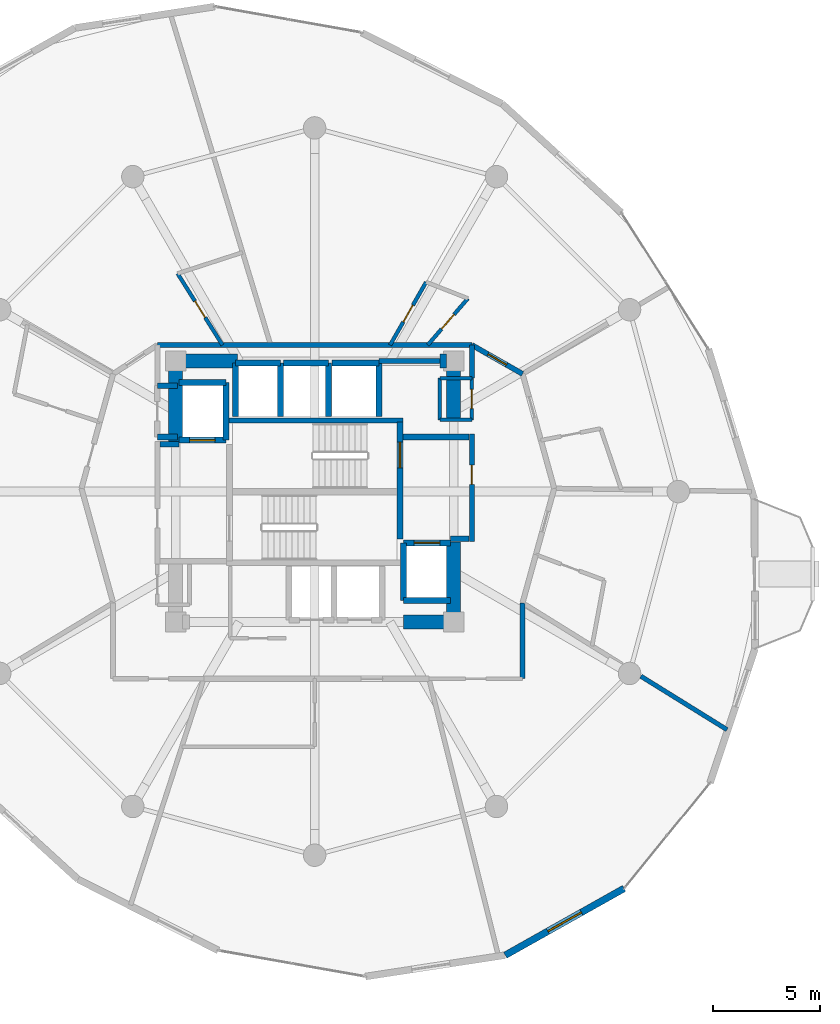
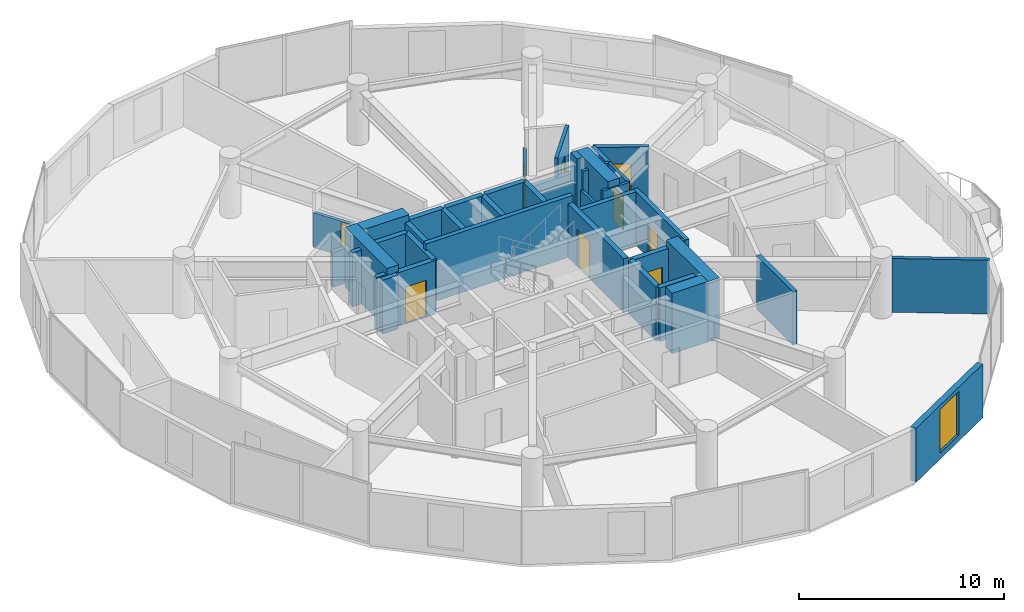
# One storey, part 18 of 22: 41 walls, 9 doors, 1 window, 10 openings.
"""IFC4 building model written with IfcOpenShell, lengths in metres."""

from ifc_helpers import new_model, si_unit, direction, frame, frame_2d, origin, place, context, subcontext, project, spatial, rectangle, extrude, material, layer, layer_set, type_object, element, fill, save


model = new_model("IFC4")

# Units and contexts
model_context = context("Model", 3, precision=1e-05, world=origin(), true_north=direction((0.0, 1.0)))
body_context = subcontext(model_context, "Body", "Model", "MODEL_VIEW")
ifc_project = project(units=[si_unit("LENGTHUNIT", "METRE"), si_unit("AREAUNIT", "SQUARE_METRE"), si_unit("VOLUMEUNIT", "CUBIC_METRE"), si_unit("PLANEANGLEUNIT", "RADIAN"), si_unit("MASSUNIT", "GRAM", prefix="KILO")], contexts=[model_context])

# Site, building, storey
site_placement = place(None, origin())
site = spatial("IfcSite", under=ifc_project, at=site_placement, CompositionType="ELEMENT")
building_placement = place(site_placement, origin())
building = spatial("IfcBuilding", under=site, at=building_placement, Name="Solvirekh Grand Hotel", CompositionType="ELEMENT")
storey_placement = place(building_placement, frame((0.0, 0.0, 160.199951171875)))
storey = spatial("IfcBuildingStorey", under=building, at=storey_placement, Name="L41", CompositionType="ELEMENT", Elevation=160.199951171875)

# Walls
ifc_material_1 = material(Name="Concrete C50/60", Category="concrete")
ifc_layer_1 = layer(ifc_material_1, 0.35009765625)
ifc_layer_set_1 = layer_set([ifc_layer_1], Name="Concrete C50/60")
wall_type_1 = type_object("IfcWallType", Name="CoreDivWall_RC350", PredefinedType="SOLIDWALL", material=ifc_layer_set_1)
wall_1_placement = place(storey_placement, frame((-4.1298828125, 3.324951171875, 0.0), z_axis=(0.0, 0.0, 1.0), x_axis=(1.0, 0.0, 0.0)))
element("IfcWall", 1, at=wall_1_placement, inside=storey, type_object=wall_type_1, Name="L41 core stair box wall ST-N", PredefinedType="SOLIDWALL", context=body_context, shape_type="SweptSolid", body=[
    extrude(rectangle(XDim=8.259765625, YDim=0.25, at=frame_2d((4.1298828125, 0.0))), origin(), (0.0, 0.0, 1.0), 3.60009765625),
])
ifc_material_2 = material(Name="Concrete C40/50", Category="concrete")
ifc_layer_2 = layer(ifc_material_2, 0.280029296875)
ifc_layer_set_2 = layer_set([ifc_layer_2], Name="Concrete C40/50")
wall_type_2 = type_object("IfcWallType", Name="CoreShaftWall_RC280", PredefinedType="SOLIDWALL", material=ifc_layer_set_2)
wall_2_placement = place(storey_placement, frame((-1.60009765625, 6.0, 0.0), z_axis=(0.0, 0.0, 1.0), x_axis=(-1.0, 0.0, 0.0)))
element("IfcWall", 2, at=wall_2_placement, inside=storey, type_object=wall_type_2, Name="L41 HP-1 hoistway N wall", PredefinedType="SOLIDWALL", context=body_context, shape_type="SweptSolid", body=[
    extrude(rectangle(XDim=2.099853515625, YDim=0.280029296875, at=frame_2d((1.0498046875, 0.0))), origin(), (0.0, 0.0, 1.0), 3.199951171875),
])
for number, where, z_axis, x_axis, name in (
    (3, (-3.699951171875, 6.0, 0.0), (0.0, 0.0, 1.0), (0.0, -1.0, 0.0), "L41 HP-1 hoistway W wall"),
    (4, (-1.60009765625, 3.5, 0.0), (0.0, 0.0, 1.0), (0.0, 1.0, 0.0), "L41 HP-1 hoistway E wall"),
):
    element("IfcWall", number, at=place(storey_placement, frame(where, z_axis=z_axis, x_axis=x_axis)), inside=storey, type_object=wall_type_2, Name=name, PredefinedType="SOLIDWALL", context=body_context, shape_type="SweptSolid", body=[
        extrude(rectangle(XDim=2.5, YDim=0.280029296875, at=frame_2d((1.25, 0.0))), origin(), (0.0, 0.0, 1.0), 3.199951171875),
    ])
wall_3_placement = place(storey_placement, frame((0.64990234375, 6.0, 0.0), z_axis=(0.0, 0.0, 1.0), x_axis=(-1.0, 0.0, 0.0)))
element("IfcWall", 5, at=wall_3_placement, inside=storey, type_object=wall_type_2, Name="L41 HP-2 hoistway N wall", PredefinedType="SOLIDWALL", context=body_context, shape_type="SweptSolid", body=[
    extrude(rectangle(XDim=2.099853515625, YDim=0.280029296875, at=frame_2d((1.0498046875, 0.0))), origin(), (0.0, 0.0, 1.0), 3.199951171875),
])
wall_4_placement = place(storey_placement, frame((0.64990234375, 3.5, 0.0), z_axis=(0.0, 0.0, 1.0), x_axis=(0.0, 1.0, 0.0)))
element("IfcWall", 6, at=wall_4_placement, inside=storey, type_object=wall_type_2, Name="L41 HP-2 hoistway E wall", PredefinedType="SOLIDWALL", context=body_context, shape_type="SweptSolid", body=[
    extrude(rectangle(XDim=2.5, YDim=0.280029296875, at=frame_2d((1.25, 0.0))), origin(), (0.0, 0.0, 1.0), 3.199951171875),
])
wall_5_placement = place(storey_placement, frame((3.0, 6.0, 0.0), z_axis=(0.0, 0.0, 1.0), x_axis=(-1.0, 0.0, 0.0)))
element("IfcWall", 7, at=wall_5_placement, inside=storey, type_object=wall_type_2, Name="L41 EX-1 hoistway N wall", PredefinedType="SOLIDWALL", context=body_context, shape_type="SweptSolid", body=[
    extrude(rectangle(XDim=2.199951171875, YDim=0.280029296875, at=frame_2d((1.10009765625, 0.0))), origin(), (0.0, 0.0, 1.0), 3.199951171875),
])
wall_6_placement = place(storey_placement, frame((3.0, 3.5, 0.0), z_axis=(0.0, 0.0, 1.0), x_axis=(0.0, 1.0, 0.0)))
element("IfcWall", 8, at=wall_6_placement, inside=storey, type_object=wall_type_2, Name="L41 EX-1 hoistway E wall", PredefinedType="SOLIDWALL", context=body_context, shape_type="SweptSolid", body=[
    extrude(rectangle(XDim=2.5, YDim=0.280029296875, at=frame_2d((1.25, 0.0))), origin(), (0.0, 0.0, 1.0), 3.199951171875),
])

# Wall, opening, door
wall_7_placement = place(storey_placement, frame((-6.35009765625, 2.39990234375, 0.0), z_axis=(0.0, 0.0, 1.0), x_axis=(1.0, 0.0, 0.0)))
wall_7 = element("IfcWall", 9, at=wall_7_placement, inside=storey, type_object=wall_type_2, Name="L41 FL-1 hoistway S wall", PredefinedType="SOLIDWALL", context=body_context, shape_type="SweptSolid", body=[
    extrude(rectangle(XDim=2.2001953125, YDim=0.280029296875, at=frame_2d((1.10009765625, 0.0))), origin(), (0.0, 0.0, 1.0), 3.199951171875),
])
opening_1_placement = place(wall_7_placement, frame((0.5, 0.0, 0.0)))
opening_1 = element("IfcOpeningElement", 10, at=opening_1_placement, cuts=wall_7, Name="Opening LD02", PredefinedType="OPENING", context=body_context, shape_type="SweptSolid", body=[
    extrude(rectangle(XDim=1.199951171875, YDim=2.199951171875, at=frame_2d((0.60009765625, 1.10009765625))), frame((0.0, 0.14990234375, 0.0), z_axis=(0.0, -1.0, 0.0), x_axis=(1.0, 0.0, 0.0)), (0.0, 0.0, 1.0), 0.300048828125),
])
ifc_material_3 = material(Name="Fire-Rated Steel Door Assembly", Category="steel")
door_type_1 = type_object("IfcDoorType", Name="Door_LiftFF_1200X2200", OperationType="SLIDING_TO_LEFT", PredefinedType="DOOR", material=ifc_material_3)
door_1_placement = place(opening_1_placement, origin())
door_1 = element("IfcDoor", 11, at=door_1_placement, inside=storey, type_object=door_type_1, Name="L41 FL-1 sliding lift landing door", OperationType="SLIDING_TO_LEFT", OverallHeight=2.199951171875, OverallWidth=1.199951171875, PredefinedType="DOOR", context=body_context, shape_type="SweptSolid", body=[
    extrude(rectangle(XDim=1.199951171875, YDim=2.199951171875, at=frame_2d((0.60009765625, 1.10009765625))), frame((0.0, 0.02490234375, 0.0), z_axis=(0.0, -1.0, 0.0), x_axis=(1.0, 0.0, 0.0)), (0.0, 0.0, 1.0), 0.050048828125),
])
fill(opening_1, door_1)

# Walls
wall_8_placement = place(storey_placement, frame((-4.14990234375, 5.10009765625, 0.0), z_axis=(0.0, 0.0, 1.0), x_axis=(-1.0, 0.0, 0.0)))
element("IfcWall", 12, at=wall_8_placement, inside=storey, type_object=wall_type_2, Name="L41 FL-1 hoistway N wall", PredefinedType="SOLIDWALL", context=body_context, shape_type="SweptSolid", body=[
    extrude(rectangle(XDim=2.2001953125, YDim=0.280029296875, at=frame_2d((1.10009765625, 0.0))), origin(), (0.0, 0.0, 1.0), 3.199951171875),
])
wall_9_placement = place(storey_placement, frame((-4.14990234375, 2.39990234375, 0.0), z_axis=(0.0, 0.0, 1.0), x_axis=(0.0, 1.0, 0.0)))
element("IfcWall", 13, at=wall_9_placement, inside=storey, type_object=wall_type_2, Name="L41 FL-1 hoistway E wall", PredefinedType="SOLIDWALL", context=body_context, shape_type="SweptSolid", body=[
    extrude(rectangle(XDim=2.7001953125, YDim=0.280029296875, at=frame_2d((1.35009765625, 0.0))), origin(), (0.0, 0.0, 1.0), 3.199951171875),
])
wall_10_placement = place(storey_placement, frame((4.14990234375, -5.10009765625, 0.0), z_axis=(0.0, 0.0, 1.0), x_axis=(1.0, 0.0, 0.0)))
element("IfcWall", 14, at=wall_10_placement, inside=storey, type_object=wall_type_2, Name="L41 FL-2 hoistway S wall", PredefinedType="SOLIDWALL", context=body_context, shape_type="SweptSolid", body=[
    extrude(rectangle(XDim=2.2001953125, YDim=0.280029296875, at=frame_2d((1.10009765625, 0.0))), origin(), (0.0, 0.0, 1.0), 3.199951171875),
])

# Wall, opening, door
wall_11_placement = place(storey_placement, frame((6.35009765625, -2.39990234375, 0.0), z_axis=(0.0, 0.0, 1.0), x_axis=(-1.0, 0.0, 0.0)))
wall_11 = element("IfcWall", 15, at=wall_11_placement, inside=storey, type_object=wall_type_2, Name="L41 FL-2 hoistway N wall", PredefinedType="SOLIDWALL", context=body_context, shape_type="SweptSolid", body=[
    extrude(rectangle(XDim=2.2001953125, YDim=0.280029296875, at=frame_2d((1.10009765625, 0.0))), origin(), (0.0, 0.0, 1.0), 3.199951171875),
])
opening_2_placement = place(wall_11_placement, frame((0.5, 0.0, 0.0)))
opening_2 = element("IfcOpeningElement", 16, at=opening_2_placement, cuts=wall_11, Name="Opening LD02", PredefinedType="OPENING", context=body_context, shape_type="SweptSolid", body=[
    extrude(rectangle(XDim=1.199951171875, YDim=2.199951171875, at=frame_2d((0.60009765625, 1.10009765625))), frame((0.0, 0.14990234375, 0.0), z_axis=(0.0, -1.0, 0.0), x_axis=(1.0, 0.0, 0.0)), (0.0, 0.0, 1.0), 0.300048828125),
])
door_2_placement = place(opening_2_placement, origin())
door_2 = element("IfcDoor", 17, at=door_2_placement, inside=storey, type_object=door_type_1, Name="L41 FL-2 sliding lift landing door", OperationType="SLIDING_TO_LEFT", OverallHeight=2.199951171875, OverallWidth=1.199951171875, PredefinedType="DOOR", context=body_context, shape_type="SweptSolid", body=[
    extrude(rectangle(XDim=1.199951171875, YDim=2.199951171875, at=frame_2d((0.60009765625, 1.10009765625))), frame((0.0, 0.02490234375, 0.0), z_axis=(0.0, -1.0, 0.0), x_axis=(1.0, 0.0, 0.0)), (0.0, 0.0, 1.0), 0.050048828125),
])
fill(opening_2, door_2)

# Wall
wall_12_placement = place(storey_placement, frame((4.14990234375, -2.39990234375, 0.0), z_axis=(0.0, 0.0, 1.0), x_axis=(0.0, -1.0, 0.0)))
element("IfcWall", 18, at=wall_12_placement, inside=storey, type_object=wall_type_2, Name="L41 FL-2 hoistway W wall", PredefinedType="SOLIDWALL", context=body_context, shape_type="SweptSolid", body=[
    extrude(rectangle(XDim=2.7001953125, YDim=0.280029296875, at=frame_2d((1.35009765625, 0.0))), origin(), (0.0, 0.0, 1.0), 3.199951171875),
])

# Wall, opening, door
wall_13_placement = place(storey_placement, frame((3.989990234375, -2.2099609375, 0.0), z_axis=(0.0, 0.0, 1.0), x_axis=(0.0, 1.0, 0.0)))
wall_13 = element("IfcWall", 19, at=wall_13_placement, inside=storey, type_object=wall_type_2, Name="L41 east stair landing enclosure wall", PredefinedType="SOLIDWALL", context=body_context, shape_type="SweptSolid", body=[
    extrude(rectangle(XDim=5.4599609375, YDim=0.280029296875, at=frame_2d((2.72998046875, 0.0))), origin(), (0.0, 0.0, 1.0), 3.199951171875),
])
opening_3_placement = place(wall_13_placement, frame((3.322998046875, 0.0, 0.0)))
opening_3 = element("IfcOpeningElement", 20, at=opening_3_placement, cuts=wall_13, Name="Opening D05", PredefinedType="OPENING", context=body_context, shape_type="SweptSolid", body=[
    extrude(rectangle(XDim=1.199951171875, YDim=2.199951171875, at=frame_2d((0.60009765625, 1.10009765625))), frame((0.0, 0.14990234375, 0.0), z_axis=(0.0, -1.0, 0.0), x_axis=(1.0, 0.0, 0.0)), (0.0, 0.0, 1.0), 0.300048828125),
])
door_type_2 = type_object("IfcDoorType", Name="Door_StairCore_1200X2200", OperationType="NOTDEFINED", PredefinedType="DOOR", material=ifc_material_3)
door_3_placement = place(opening_3_placement, origin())
door_3 = element("IfcDoor", 21, at=door_3_placement, inside=storey, type_object=door_type_2, Name="L41 exit stair ST-2 fire door", OperationType="SINGLE_SWING_RIGHT", OverallHeight=2.199951171875, OverallWidth=1.199951171875, PredefinedType="DOOR", context=body_context, shape_type="SweptSolid", body=[
    extrude(rectangle(XDim=1.199951171875, YDim=2.199951171875, at=frame_2d((0.60009765625, 1.10009765625))), frame((0.0, 0.02490234375, 0.0), z_axis=(0.0, -1.0, 0.0), x_axis=(1.0, 0.0, 0.0)), (0.0, 0.0, 1.0), 0.050048828125),
])
fill(opening_3, door_3)

# Walls
ifc_layer_3 = layer(ifc_material_1, 0.64990234375)
ifc_layer_set_3 = layer_set([ifc_layer_3], Name="Concrete C50/60")
wall_type_3 = type_object("IfcWallType", Name="CoreWall_RC650", PredefinedType="SHEAR", material=ifc_layer_set_3)
wall_14_placement = place(storey_placement, frame((4.14990234375, -6.10009765625, 0.0), z_axis=(0.0, 0.0, 1.0), x_axis=(1.0, 0.0, 0.0)))
element("IfcWall", 22, at=wall_14_placement, inside=storey, type_object=wall_type_3, Name="L41 core corner shear wall SE-S", PredefinedType="SHEAR", context=body_context, shape_type="SweptSolid", body=[
    extrude(rectangle(XDim=2.025146484375, YDim=0.64990234375, at=frame_2d((1.0126953125, 0.0))), origin(), (0.0, 0.0, 1.0), 3.60009765625),
])
wall_15_placement = place(storey_placement, frame((-6.175048828125, 6.10009765625, 0.0), z_axis=(0.0, 0.0, 1.0), x_axis=(1.0, 0.0, 0.0)))
element("IfcWall", 23, at=wall_15_placement, inside=storey, type_object=wall_type_3, Name="L41 core corner shear wall NW-N", PredefinedType="SHEAR", context=body_context, shape_type="SweptSolid", body=[
    extrude(rectangle(XDim=2.574951171875, YDim=0.64990234375, at=frame_2d((1.28759765625, 0.0))), origin(), (0.0, 0.0, 1.0), 3.60009765625),
])
wall_16_placement = place(storey_placement, frame((5.85009765625, 6.10009765625, 0.0), z_axis=(0.0, 0.0, 1.0), x_axis=(1.0, 0.0, 0.0)))
element("IfcWall", 24, at=wall_16_placement, inside=storey, type_object=wall_type_3, Name="L41 core corner shear wall NE-N", PredefinedType="SHEAR", context=body_context, shape_type="SweptSolid", body=[
    extrude(rectangle(XDim=0.324951171875, YDim=0.64990234375, at=frame_2d((0.16259765625, 0.0))), origin(), (0.0, 0.0, 1.0), 3.60009765625),
])
for number, where, z_axis, x_axis, name in (
    (25, (-6.5, 2.35009765625, 0.0), (0.0, 0.0, 1.0), (0.0, 1.0, 0.0), "L41 core corner shear wall WN-W"),
    (26, (6.5, -6.425048828125, 0.0), (0.0, 0.0, 1.0), (0.0, 1.0, 0.0), "L41 core corner shear wall ES-E"),
):
    element("IfcWall", number, at=place(storey_placement, frame(where, z_axis=z_axis, x_axis=x_axis)), inside=storey, type_object=wall_type_3, Name=name, PredefinedType="SHEAR", context=body_context, shape_type="SweptSolid", body=[
        extrude(rectangle(XDim=4.074951171875, YDim=0.64990234375, at=frame_2d((2.03759765625, 0.0))), origin(), (0.0, 0.0, 1.0), 3.60009765625),
    ])
wall_17_placement = place(storey_placement, frame((6.5, 3.35009765625, 0.0), z_axis=(0.0, 0.0, 1.0), x_axis=(0.0, 1.0, 0.0)))
element("IfcWall", 27, at=wall_17_placement, inside=storey, type_object=wall_type_3, Name="L41 core corner shear wall EN-E", PredefinedType="SHEAR", context=body_context, shape_type="SweptSolid", body=[
    extrude(rectangle(XDim=3.074951171875, YDim=0.64990234375, at=frame_2d((1.53759765625, 0.0))), origin(), (0.0, 0.0, 1.0), 3.60009765625),
])

# Wall, opening, window
ifc_material_4 = material(Name="Precast concrete C45/55", Category="concrete")
ifc_layer_4 = layer(ifc_material_4, 0.320068359375)
ifc_layer_set_4 = layer_set([ifc_layer_4], Name="Precast concrete C45/55")
wall_type_4 = type_object("IfcWallType", Name="ExtLobbyWall_RC320", PredefinedType="SOLIDWALL", material=ifc_layer_set_4)
wall_18_placement = place(storey_placement, frame((14.464111328125, -18.554931640625, 0.0), z_axis=(0.0, 0.0, 1.0), x_axis=(-0.871749481809, -0.489951876174, 0.0)))
wall_18 = element("IfcWall", 28, at=wall_18_placement, inside=storey, type_object=wall_type_4, Name="L41 exterior structural wall chord 20", PredefinedType="SOLIDWALL", context=body_context, shape_type="SweptSolid", body=[
    extrude(rectangle(XDim=6.3701171875, YDim=0.320068359375, at=frame_2d((3.18505859375, 0.0))), origin(), (0.0, 0.0, 1.0), 3.199951171875),
])
opening_4_placement = place(wall_18_placement, frame((2.284912109375, 0.0, 0.35009765625)))
opening_4 = element("IfcOpeningElement", 29, at=opening_4_placement, cuts=wall_18, Name="Opening W02", PredefinedType="OPENING", context=body_context, shape_type="SweptSolid", body=[
    extrude(rectangle(XDim=1.800048828125, YDim=2.60009765625, at=frame_2d((0.89990234375, 1.300048828125))), frame((0.0, 0.169921875, 0.0), z_axis=(0.0, -1.0, 0.0), x_axis=(1.0, 0.0, 0.0)), (0.0, 0.0, 1.0), 0.340087890625),
])
ifc_material_5 = material(Name="Low-E Tinted Bronze Laminated Glass", Category="aluminium")
window_type = type_object("IfcWindowType", Name="Win_LobbyExt_1800X2600", PartitioningType="SINGLE_PANEL", PredefinedType="WINDOW", material=ifc_material_5)
window_placement = place(opening_4_placement, origin())
window = element("IfcWindow", 30, at=window_placement, inside=storey, type_object=window_type, Name="L41 panoramic bronze-framed window 20", OverallHeight=2.60009765625, OverallWidth=1.800048828125, PartitioningType="SINGLE_PANEL", PredefinedType="WINDOW", context=body_context, shape_type="SweptSolid", body=[
    extrude(rectangle(XDim=1.800048828125, YDim=2.60009765625, at=frame_2d((0.89990234375, 1.300048828125))), frame((0.0, 0.030029296875, 0.0), z_axis=(0.0, -1.0, 0.0), x_axis=(1.0, 0.0, 0.0)), (0.0, 0.0, 1.0), 0.06005859375),
])
fill(opening_4, window)

# Wall
ifc_material_6 = material(Name="Acoustic Gypsum Partition Assembly")
ifc_layer_5 = layer(ifc_material_6, 0.1650390625)
ifc_layer_set_5 = layer_set([ifc_layer_5], Name="Acoustic Gypsum Partition Assembly")
wall_type_5 = type_object("IfcWallType", Name="Part_BOH_165", PredefinedType="PARTITIONING", material=ifc_layer_set_5)
wall_19_placement = place(storey_placement, frame((5.85009765625, 3.35009765625, 0.0), z_axis=(0.0, 0.0, 1.0), x_axis=(1.0, 0.0, 0.0)))
element("IfcWall", 31, at=wall_19_placement, inside=storey, type_object=wall_type_5, Name="L41 L41 Core Housekeeping Room wall 1", PredefinedType="PARTITIONING", context=body_context, shape_type="SweptSolid", body=[
    extrude(rectangle(XDim=1.5, YDim=0.1650390625, at=frame_2d((0.75, 0.0))), origin(), (0.0, 0.0, 1.0), 3.199951171875),
])

# Wall, opening, door
wall_20_placement = place(storey_placement, frame((7.35009765625, 3.35009765625, 0.0), z_axis=(0.0, 0.0, 1.0), x_axis=(0.0, 1.0, 0.0)))
wall_20 = element("IfcWall", 32, at=wall_20_placement, inside=storey, type_object=wall_type_5, Name="L41 L41 Core Housekeeping Room wall 2", PredefinedType="PARTITIONING", context=body_context, shape_type="SweptSolid", body=[
    extrude(rectangle(XDim=1.949951171875, YDim=0.1650390625, at=frame_2d((0.97509765625, 0.0))), origin(), (0.0, 0.0, 1.0), 3.199951171875),
])
opening_5_placement = place(wall_20_placement, frame((0.52490234375, 0.0, 0.0)))
opening_5 = element("IfcOpeningElement", 33, at=opening_5_placement, cuts=wall_20, Name="Opening D14", PredefinedType="OPENING", context=body_context, shape_type="SweptSolid", body=[
    extrude(rectangle(XDim=0.89990234375, YDim=2.02001953125, at=frame_2d((0.449951171875, 1.010009765625))), frame((0.0, 0.092529296875, 0.0), z_axis=(0.0, -1.0, 0.0), x_axis=(1.0, 0.0, 0.0)), (0.0, 0.0, 1.0), 0.18505859375),
])
door_type_3 = type_object("IfcDoorType", Name="Door_LowHeadroom_900X2020", OperationType="NOTDEFINED", PredefinedType="DOOR", material=ifc_material_3)
door_4_placement = place(opening_5_placement, origin())
door_4 = element("IfcDoor", 34, at=door_4_placement, inside=storey, type_object=door_type_3, Name="L41 L41 Core Housekeeping Room door", OperationType="SINGLE_SWING_LEFT", OverallHeight=2.02001953125, OverallWidth=0.89990234375, PredefinedType="DOOR", context=body_context, shape_type="SweptSolid", body=[
    extrude(rectangle(XDim=0.89990234375, YDim=2.02001953125, at=frame_2d((0.449951171875, 1.010009765625))), frame((0.0, 0.02490234375, 0.0), z_axis=(0.0, -1.0, 0.0), x_axis=(1.0, 0.0, 0.0)), (0.0, 0.0, 1.0), 0.050048828125),
])
fill(opening_5, door_4)

# Walls
wall_21_placement = place(storey_placement, frame((7.35009765625, 5.300048828125, 0.0), z_axis=(0.0, 0.0, 1.0), x_axis=(-1.0, 0.0, 0.0)))
element("IfcWall", 35, at=wall_21_placement, inside=storey, type_object=wall_type_5, Name="L41 L41 Core Housekeeping Room wall 3", PredefinedType="PARTITIONING", context=body_context, shape_type="SweptSolid", body=[
    extrude(rectangle(XDim=1.5, YDim=0.1650390625, at=frame_2d((0.75, 0.0))), origin(), (0.0, 0.0, 1.0), 3.199951171875),
])
wall_22_placement = place(storey_placement, frame((5.85009765625, 5.300048828125, 0.0), z_axis=(0.0, 0.0, 1.0), x_axis=(0.0, -1.0, 0.0)))
element("IfcWall", 36, at=wall_22_placement, inside=storey, type_object=wall_type_5, Name="L41 L41 Core Housekeeping Room wall 4", PredefinedType="PARTITIONING", context=body_context, shape_type="SweptSolid", body=[
    extrude(rectangle(XDim=1.949951171875, YDim=0.1650390625, at=frame_2d((0.97509765625, 0.0))), origin(), (0.0, 0.0, 1.0), 2.067138671875),
])

# Wall, opening, door
ifc_layer_6 = layer(ifc_material_6, 0.239990234375)
ifc_layer_set_6 = layer_set([ifc_layer_6], Name="Acoustic Gypsum Partition Assembly")
wall_type_6 = type_object("IfcWallType", Name="Part_Corridor_240", PredefinedType="PARTITIONING", material=ifc_layer_set_6)
wall_23_placement = place(storey_placement, frame((7.35009765625, -2.340087890625, 0.0), z_axis=(0.0, 0.0, 1.0), x_axis=(0.0, 1.0, 0.0)))
wall_23 = element("IfcWall", 37, at=wall_23_placement, inside=storey, type_object=wall_type_6, Name="L41 east firefighting lobby smoke screen wall", PredefinedType="PARTITIONING", context=body_context, shape_type="SweptSolid", body=[
    extrude(rectangle(XDim=5.02001953125, YDim=0.239990234375, at=frame_2d((2.510009765625, 0.0))), origin(), (0.0, 0.0, 1.0), 3.199951171875),
])
opening_6_placement = place(wall_23_placement, frame((2.677978515625, 0.0, 0.0)))
opening_6 = element("IfcOpeningElement", 38, at=opening_6_placement, cuts=wall_23, Name="Opening D14", PredefinedType="OPENING", context=body_context, shape_type="SweptSolid", body=[
    extrude(rectangle(XDim=0.89990234375, YDim=2.02001953125, at=frame_2d((0.449951171875, 1.010009765625))), frame((0.0, 0.1298828125, 0.0), z_axis=(0.0, -1.0, 0.0), x_axis=(1.0, 0.0, 0.0)), (0.0, 0.0, 1.0), 0.260009765625),
])
door_5_placement = place(opening_6_placement, origin())
door_5 = element("IfcDoor", 39, at=door_5_placement, inside=storey, type_object=door_type_3, Name="L41 east firefighting lobby smoke door", OperationType="SINGLE_SWING_RIGHT", OverallHeight=2.02001953125, OverallWidth=0.89990234375, PredefinedType="DOOR", context=body_context, shape_type="SweptSolid", body=[
    extrude(rectangle(XDim=0.89990234375, YDim=2.02001953125, at=frame_2d((0.449951171875, 1.010009765625))), frame((0.0, 0.02490234375, 0.0), z_axis=(0.0, -1.0, 0.0), x_axis=(1.0, 0.0, 0.0)), (0.0, 0.0, 1.0), 0.050048828125),
])
fill(opening_6, door_5)

# Walls
wall_24_placement = place(storey_placement, frame((-7.35009765625, 6.85009765625, 0.0), z_axis=(0.0, 0.0, 1.0), x_axis=(1.0, 0.0, 0.0)))
element("IfcWall", 40, at=wall_24_placement, inside=storey, type_object=wall_type_6, Name="L41 north core backing partition", PredefinedType="PARTITIONING", context=body_context, shape_type="SweptSolid", body=[
    extrude(rectangle(XDim=14.7001953125, YDim=0.239990234375, at=frame_2d((7.35009765625, 0.0))), origin(), (0.0, 0.0, 1.0), 2.067138671875),
])
wall_25_placement = place(storey_placement, frame((7.35009765625, 5.300048828125, 0.0), z_axis=(0.0, 0.0, 1.0), x_axis=(0.0, 1.0, 0.0)))
element("IfcWall", 41, at=wall_25_placement, inside=storey, type_object=wall_type_6, Name="L41 NE core cheek closure wall", PredefinedType="PARTITIONING", context=body_context, shape_type="SweptSolid", body=[
    extrude(rectangle(XDim=1.550048828125, YDim=0.239990234375, at=frame_2d((0.77490234375, 0.0))), origin(), (0.0, 0.0, 1.0), 3.199951171875),
])
wall_26_placement = place(storey_placement, frame((3.0, 6.10009765625, 0.0), z_axis=(0.0, 0.0, 1.0), x_axis=(1.0, 0.0, 0.0)))
element("IfcWall", 42, at=wall_26_placement, inside=storey, type_object=wall_type_6, Name="L41 north core shaft infill wall", PredefinedType="PARTITIONING", context=body_context, shape_type="SweptSolid", body=[
    extrude(rectangle(XDim=2.85009765625, YDim=0.239990234375, at=frame_2d((1.425048828125, 0.0))), origin(), (0.0, 0.0, 1.0), 2.067138671875),
])

# Wall, opening, door
wall_27_placement = place(storey_placement, frame((7.35009765625, 6.85009765625, 0.0), z_axis=(0.0, 0.0, 1.0), x_axis=(0.868892391395, -0.495001022398, 0.0)))
wall_27 = element("IfcWall", 43, at=wall_27_placement, inside=storey, type_object=wall_type_6, Name="L41 Deluxe Guestroom 4301 entrance wall", PredefinedType="PARTITIONING", context=body_context, shape_type="SweptSolid", body=[
    extrude(rectangle(XDim=2.7275390625, YDim=0.239990234375, at=frame_2d((1.36376953125, 0.0))), origin(), (0.0, 0.0, 1.0), 3.199951171875),
])
opening_7_placement = place(wall_27_placement, frame((0.864013671875, 0.0, 0.0)))
opening_7 = element("IfcOpeningElement", 44, at=opening_7_placement, cuts=wall_27, Name="Opening D07", PredefinedType="OPENING", context=body_context, shape_type="SweptSolid", body=[
    extrude(rectangle(XDim=1.0, YDim=2.199951171875, at=frame_2d((0.5, 1.10009765625))), frame((0.0, 0.1298828125, 0.0), z_axis=(0.0, -1.0, 0.0), x_axis=(1.0, 0.0, 0.0)), (0.0, 0.0, 1.0), 0.260009765625),
])
door_type_4 = type_object("IfcDoorType", Name="Door_GuestEntry_1000X2200", OperationType="NOTDEFINED", PredefinedType="DOOR", material=ifc_material_3)
door_6_placement = place(opening_7_placement, origin())
door_6 = element("IfcDoor", 45, at=door_6_placement, inside=storey, type_object=door_type_4, Name="L41 Deluxe Guestroom 4301 entrance door", OperationType="SINGLE_SWING_RIGHT", OverallHeight=2.199951171875, OverallWidth=1.0, PredefinedType="DOOR", context=body_context, shape_type="SweptSolid", body=[
    extrude(rectangle(XDim=1.0, YDim=2.199951171875, at=frame_2d((0.5, 1.10009765625))), frame((0.0, 0.02490234375, 0.0), z_axis=(0.0, -1.0, 0.0), x_axis=(1.0, 0.0, 0.0)), (0.0, 0.0, 1.0), 0.050048828125),
])
fill(opening_7, door_6)

# Walls
wall_28_placement = place(storey_placement, frame((9.719970703125, -8.75, 0.0), z_axis=(0.0, 0.0, 1.0), x_axis=(0.0, 1.0, 0.0)))
element("IfcWall", 46, at=wall_28_placement, inside=storey, type_object=wall_type_6, Name="L41 L41 Butler Valet & Linen Steward Room corridor wall 1", PredefinedType="PARTITIONING", context=body_context, shape_type="SweptSolid", body=[
    extrude(rectangle(XDim=3.550048828125, YDim=0.239990234375, at=frame_2d((1.77490234375, 0.0))), origin(), (0.0, 0.0, 1.0), 3.199951171875),
])
ifc_layer_7 = layer(ifc_material_6, 0.260009765625)
ifc_layer_set_7 = layer_set([ifc_layer_7], Name="Acoustic Gypsum Partition Assembly")
wall_type_7 = type_object("IfcWallType", Name="Part_LobbyFF_260", PredefinedType="PARTITIONING", material=ifc_layer_set_7)
for number, where, z_axis, x_axis, name in (
    (47, (-7.22509765625, 2.2099609375, 0.0), (0.0, 0.0, 1.0), (1.0, 0.0, 0.0), "L41 west firefighting lobby NW cheek"),
    (48, (6.35009765625, -2.2099609375, 0.0), (0.0, 0.0, 1.0), (1.0, 0.0, 0.0), "L41 east firefighting lobby SE cheek"),
):
    element("IfcWall", number, at=place(storey_placement, frame(where, z_axis=z_axis, x_axis=x_axis)), inside=storey, type_object=wall_type_7, Name=name, PredefinedType="PARTITIONING", context=body_context, shape_type="SweptSolid", body=[
        extrude(rectangle(XDim=0.875, YDim=0.260009765625, at=frame_2d((0.4375, 0.0))), origin(), (0.0, 0.0, 1.0), 3.199951171875),
    ])
wall_29_placement = place(storey_placement, frame((4.1298828125, 2.550048828125, 0.0), z_axis=(0.0, 0.0, 1.0), x_axis=(1.0, 0.0, 0.0)))
element("IfcWall", 49, at=wall_29_placement, inside=storey, type_object=wall_type_7, Name="L41 east firefighting lobby north partition", PredefinedType="PARTITIONING", context=body_context, shape_type="SweptSolid", body=[
    extrude(rectangle(XDim=3.09521484375, YDim=0.260009765625, at=frame_2d((1.547607421875, 0.0))), origin(), (0.0, 0.0, 1.0), 3.199951171875),
])
for number, where, z_axis, x_axis, name in (
    (50, (-7.35009765625, 4.949951171875, 0.0), (0.0, 0.0, 1.0), (1.0, 0.0, 0.0), "L41 NW telecom metering cupboard north wall"),
    (51, (-7.35009765625, 2.550048828125, 0.0), (0.0, 0.0, 1.0), (1.0, 0.0, 0.0), "L41 NW telecom metering cupboard south wall"),
):
    element("IfcWall", number, at=place(storey_placement, frame(where, z_axis=z_axis, x_axis=x_axis)), inside=storey, type_object=wall_type_7, Name=name, PredefinedType="PARTITIONING", context=body_context, shape_type="SweptSolid", body=[
        extrude(rectangle(XDim=0.93017578125, YDim=0.260009765625, at=frame_2d((0.465087890625, 0.0))), origin(), (0.0, 0.0, 1.0), 3.199951171875),
    ])
ifc_layer_8 = layer(ifc_material_6, 0.2099609375)
ifc_layer_set_8 = layer_set([ifc_layer_8], Name="Acoustic Gypsum Partition Assembly")
wall_type_8 = type_object("IfcWallType", Name="Part_SuiteDemise_210", PredefinedType="PARTITIONING", material=ifc_layer_set_8)
wall_30_placement = place(storey_placement, frame((15.2509765625, -8.632080078125, 0.0), z_axis=(0.0, 0.0, 1.0), x_axis=(0.849749962153, -0.527185927184, 0.0)))
element("IfcWall", 52, at=wall_30_placement, inside=storey, type_object=wall_type_8, Name="L41 suite radial wall 12 (B)", PredefinedType="PARTITIONING", context=body_context, shape_type="SweptSolid", body=[
    extrude(rectangle(XDim=4.740234375, YDim=0.2099609375, at=frame_2d((2.3701171875, 0.0))), origin(), (0.0, 0.0, 1.0), 3.199951171875),
])

# Wall, opening, door
ifc_layer_9 = layer(ifc_material_6, 0.175048828125)
ifc_layer_set_9 = layer_set([ifc_layer_9], Name="Acoustic Gypsum Partition Assembly")
wall_type_9 = type_object("IfcWallType", Name="Plumb_Ensuite_175", PredefinedType="PLUMBINGWALL", material=ifc_layer_set_9)
wall_31_placement = place(storey_placement, frame((5.212890625, 9.7939453125, 0.0), z_axis=(0.0, 0.0, 1.0), x_axis=(-0.496720187918, -0.867910741329, 0.0)))
wall_31 = element("IfcWall", 53, at=wall_31_placement, inside=storey, type_object=wall_type_9, Name="L41 En-suite Bathroom 4301 side plumbing wall", PredefinedType="PLUMBINGWALL", context=body_context, shape_type="SweptSolid", body=[
    extrude(rectangle(XDim=3.391845703125, YDim=0.175048828125, at=frame_2d((1.69580078125, 0.0))), origin(), (0.0, 0.0, 1.0), 2.067138671875),
])
opening_8_placement = place(wall_31_placement, frame((1.24609375, 0.0, 0.0)))
opening_8 = element("IfcOpeningElement", 54, at=opening_8_placement, cuts=wall_31, Name="Opening D14", PredefinedType="OPENING", context=body_context, shape_type="SweptSolid", body=[
    extrude(rectangle(XDim=0.89990234375, YDim=2.02001953125, at=frame_2d((0.449951171875, 1.010009765625))), frame((0.0, 0.09765625, 0.0), z_axis=(0.0, -1.0, 0.0), x_axis=(1.0, 0.0, 0.0)), (0.0, 0.0, 1.0), 0.195068359375),
])
door_7_placement = place(opening_8_placement, origin())
door_7 = element("IfcDoor", 55, at=door_7_placement, inside=storey, type_object=door_type_3, Name="L41 Panorama Suite 4301 North Observatory Study master bedroom door", OperationType="SINGLE_SWING_LEFT", OverallHeight=2.02001953125, OverallWidth=0.89990234375, PredefinedType="DOOR", context=body_context, shape_type="SweptSolid", body=[
    extrude(rectangle(XDim=0.89990234375, YDim=2.02001953125, at=frame_2d((0.449951171875, 1.010009765625))), frame((0.0, 0.02490234375, 0.0), z_axis=(0.0, -1.0, 0.0), x_axis=(1.0, 0.0, 0.0)), (0.0, 0.0, 1.0), 0.050048828125),
])
fill(opening_8, door_7)

wall_32_placement = place(storey_placement, frame((5.285888671875, 6.85009765625, 0.0), z_axis=(0.0, 0.0, 1.0), x_axis=(0.652865714491, 0.757473668745, 0.0)))
wall_32 = element("IfcWall", 56, at=wall_32_placement, inside=storey, type_object=wall_type_9, Name="L41 En-suite Bathroom 4301 entry plumbing wall", PredefinedType="PLUMBINGWALL", context=body_context, shape_type="SweptSolid", body=[
    extrude(rectangle(XDim=2.875244140625, YDim=0.175048828125, at=frame_2d((1.4375, 0.0))), origin(), (0.0, 0.0, 1.0), 3.199951171875),
])
opening_9_placement = place(wall_32_placement, frame((0.988037109375, 0.0, 0.0)))
opening_9 = element("IfcOpeningElement", 57, at=opening_9_placement, cuts=wall_32, Name="Opening D09", PredefinedType="OPENING", context=body_context, shape_type="SweptSolid", body=[
    extrude(rectangle(XDim=0.89990234375, YDim=2.10009765625, at=frame_2d((0.449951171875, 1.050048828125))), frame((0.0, 0.09765625, 0.0), z_axis=(0.0, -1.0, 0.0), x_axis=(1.0, 0.0, 0.0)), (0.0, 0.0, 1.0), 0.195068359375),
])
ifc_material_7 = material(Name="Anodized Bronze Aluminium 6063-T6", Category="aluminium")
door_type_5 = type_object("IfcDoorType", Name="Door_Ensuite_900X2100", OperationType="NOTDEFINED", PredefinedType="DOOR", material=ifc_material_7)
door_8_placement = place(opening_9_placement, origin())
door_8 = element("IfcDoor", 58, at=door_8_placement, inside=storey, type_object=door_type_5, Name="L41 En-suite Bathroom 4301 door", OperationType="SINGLE_SWING_LEFT", OverallHeight=2.10009765625, OverallWidth=0.89990234375, PredefinedType="DOOR", context=body_context, shape_type="SweptSolid", body=[
    extrude(rectangle(XDim=0.89990234375, YDim=2.10009765625, at=frame_2d((0.449951171875, 1.050048828125))), frame((0.0, 0.02490234375, 0.0), z_axis=(0.0, -1.0, 0.0), x_axis=(1.0, 0.0, 0.0)), (0.0, 0.0, 1.0), 0.050048828125),
])
fill(opening_9, door_8)

wall_33_placement = place(storey_placement, frame((-6.406005859375, 10.194091796875, 0.0), z_axis=(0.0, 0.0, 1.0), x_axis=(0.531437993825, -0.847097195556, 0.0)))
wall_33 = element("IfcWall", 59, at=wall_33_placement, inside=storey, type_object=wall_type_9, Name="L41 En-suite Bathroom 4302 entry plumbing wall", PredefinedType="PLUMBINGWALL", context=body_context, shape_type="SweptSolid", body=[
    extrude(rectangle(XDim=3.947509765625, YDim=0.175048828125, at=frame_2d((1.9736328125, 0.0))), origin(), (0.0, 0.0, 1.0), 2.067138671875),
])
opening_10_placement = place(wall_33_placement, frame((1.52392578125, 0.0, 0.0)))
opening_10 = element("IfcOpeningElement", 60, at=opening_10_placement, cuts=wall_33, Name="Opening D14", PredefinedType="OPENING", context=body_context, shape_type="SweptSolid", body=[
    extrude(rectangle(XDim=0.89990234375, YDim=2.02001953125, at=frame_2d((0.449951171875, 1.010009765625))), frame((0.0, 0.09765625, 0.0), z_axis=(0.0, -1.0, 0.0), x_axis=(1.0, 0.0, 0.0)), (0.0, 0.0, 1.0), 0.195068359375),
])
door_9_placement = place(opening_10_placement, origin())
door_9 = element("IfcDoor", 61, at=door_9_placement, inside=storey, type_object=door_type_3, Name="L41 En-suite Bathroom 4302 door", OperationType="SINGLE_SWING_RIGHT", OverallHeight=2.02001953125, OverallWidth=0.89990234375, PredefinedType="DOOR", context=body_context, shape_type="SweptSolid", body=[
    extrude(rectangle(XDim=0.89990234375, YDim=2.02001953125, at=frame_2d((0.449951171875, 1.010009765625))), frame((0.0, 0.02490234375, 0.0), z_axis=(0.0, -1.0, 0.0), x_axis=(1.0, 0.0, 0.0)), (0.0, 0.0, 1.0), 0.050048828125),
])
fill(opening_10, door_9)

save(model, "model.ifc")
